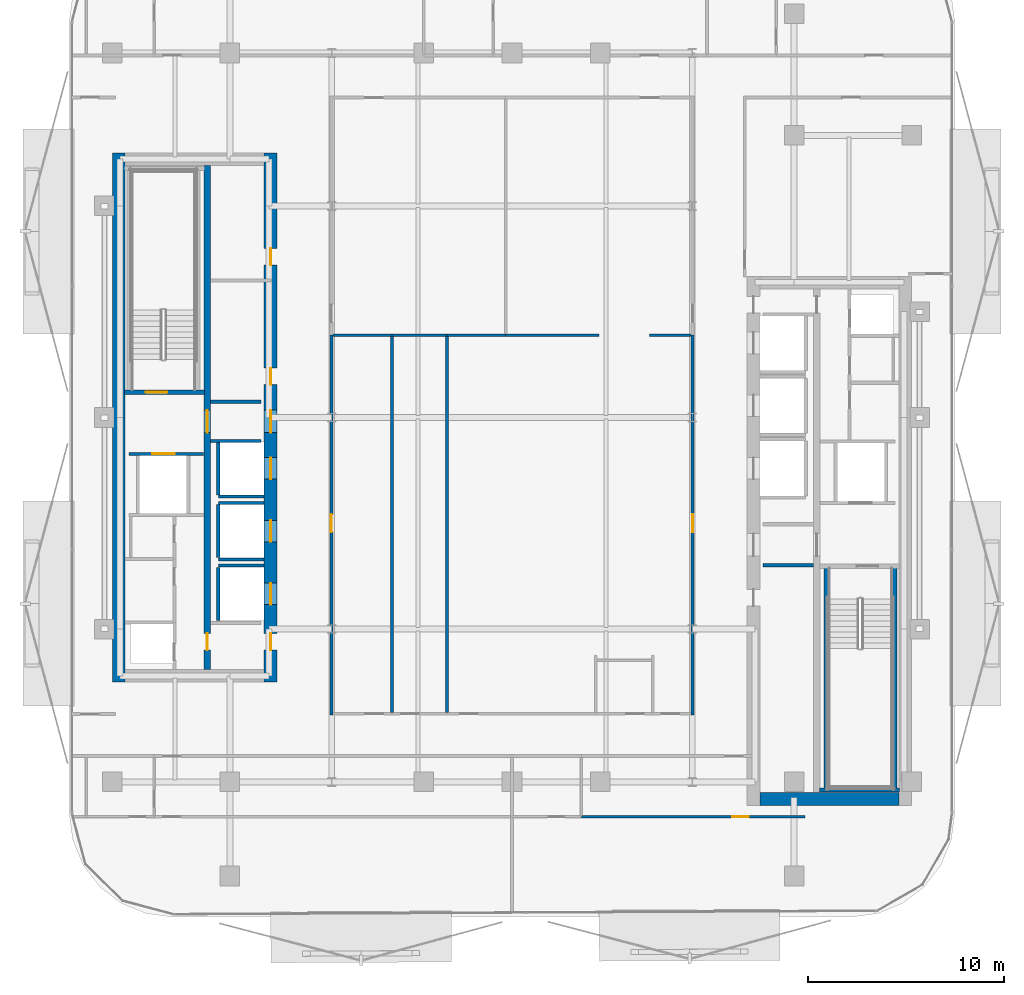
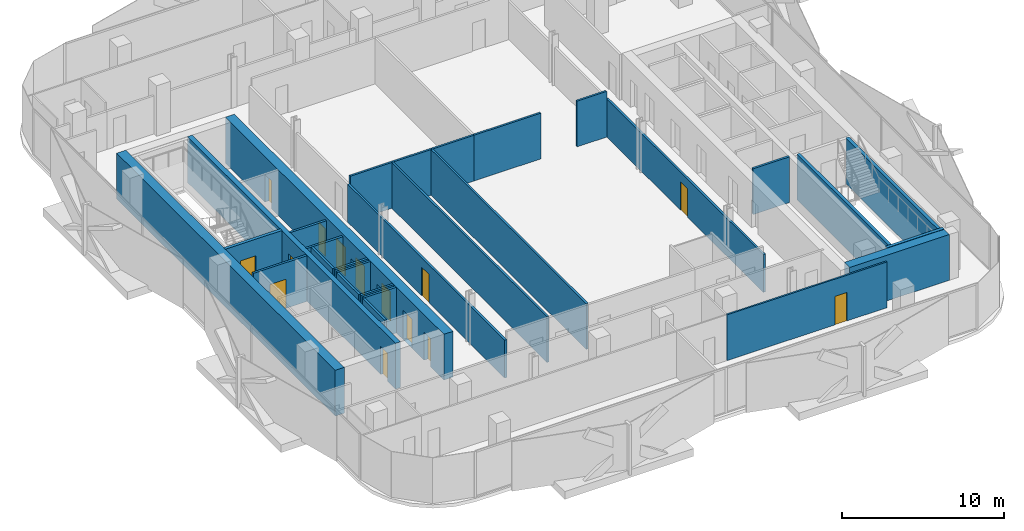
# One storey, part 4 of 17: 29 walls, 14 doors, 14 openings.
"""IFC4 building model written with IfcOpenShell, lengths in metres."""

import ifcopenshell
import ifcopenshell.guid

model = None  # the IFC model being written
_history = None  # IfcOwnerHistory: only IFC2X3 demands one
_inside = {}  # id of a spatial element -> (the spatial element, [elements in it])
_under = {}  # id of a project, library or spatial element -> (it, [spatial elements below it])
_declared = {}  # id of a project -> (the project, [libraries it declares])
_typed = {}  # id of a type object -> (the type object, [elements of that type])
_made_of = {}  # id of a material, layer set ... -> (it, [elements and type objects made of it])


def new_model(schema):
    """Start an empty IFC model of exactly this schema.

    Asked for "IFC4X3", IfcOpenShell would pick the latest addendum, in which some entities
    have other attributes; the version numbers below select the first issue.
    IFC2X3 requires an IfcOwnerHistory on every rooted entity: one is made here for all.
    """
    global model, _history
    if schema == "IFC4X3":
        model = ifcopenshell.file(schema_version=(4, 3, 0, 0))
    else:
        model = ifcopenshell.file(schema=schema)
    _inside.clear()
    _under.clear()
    _declared.clear()
    _typed.clear()
    _made_of.clear()
    _history = None
    if model.schema == "IFC2X3":
        org = make("IfcOrganization", Name="unknown")
        user = make(
            "IfcPersonAndOrganization",
            ThePerson=make("IfcPerson", FamilyName="unknown"),
            TheOrganization=org,
        )
        app = make(
            "IfcApplication",
            ApplicationDeveloper=org,
            Version="unknown",
            ApplicationFullName="unknown",
            ApplicationIdentifier="unknown",
        )
        _history = make(
            "IfcOwnerHistory",
            OwningUser=user,
            OwningApplication=app,
            ChangeAction="ADDED",
            CreationDate=0,
        )
    return model


def make(cls, **values):
    """One entity of the class cls with the attributes given. An attribute that is None is left unset."""
    return model.create_entity(
        cls, **{name: value for name, value in values.items() if value is not None}
    )


def rooted(cls, **values):
    """An entity with a GlobalId (a new one), such as an element, a storey or a relation."""
    return make(cls, GlobalId=ifcopenshell.guid.new(), OwnerHistory=_history, **values)


def si_unit(unit_type, name, prefix=None):
    """IfcSIUnit, for example si_unit("LENGTHUNIT", "METRE", prefix="MILLI")."""
    return make("IfcSIUnit", UnitType=unit_type, Prefix=prefix, Name=name)


def assignment(units):
    """IfcUnitAssignment: the units of a project."""
    return None if units is None else make("IfcUnitAssignment", Units=units)


def point(xyz):
    """IfcCartesianPoint."""
    return None if xyz is None else make("IfcCartesianPoint", Coordinates=xyz)


def direction(xyz):
    """IfcDirection."""
    return None if xyz is None else make("IfcDirection", DirectionRatios=xyz)


def frame(location, z_axis=None, x_axis=None):
    """IfcAxis2Placement3D, a coordinate frame: its origin and axes. An axis left out is left unset."""
    return make(
        "IfcAxis2Placement3D",
        Location=point(location),
        Axis=direction(z_axis),
        RefDirection=direction(x_axis),
    )


def frame_2d(location, x_axis=None):
    """IfcAxis2Placement2D, a coordinate frame in the plane: its origin and x axis."""
    return make(
        "IfcAxis2Placement2D", Location=point(location), RefDirection=direction(x_axis)
    )


def origin():
    """The frame at (0, 0, 0) with its axes left unset."""
    return frame((0.0, 0.0, 0.0))


def place(relative_to, where):
    """IfcLocalPlacement: puts the frame where relative to a parent placement (None: the world)."""
    return make(
        "IfcLocalPlacement", PlacementRelTo=relative_to, RelativePlacement=where
    )


def context(
    kind, dimensions, precision=None, world=None, true_north=None, identifier=None
):
    """IfcGeometricRepresentationContext, for example the 3D "Model" context."""
    return make(
        "IfcGeometricRepresentationContext",
        ContextIdentifier=identifier,
        ContextType=kind,
        CoordinateSpaceDimension=dimensions,
        Precision=precision,
        WorldCoordinateSystem=world,
        TrueNorth=true_north,
    )


def subcontext(parent, identifier, kind, view, scale=None):
    """IfcGeometricRepresentationSubContext, for example "Body" below "Model"."""
    return make(
        "IfcGeometricRepresentationSubContext",
        ContextIdentifier=identifier,
        ContextType=kind,
        ParentContext=parent,
        TargetScale=scale,
        TargetView=view,
    )


def project(units=None, contexts=None):
    """IfcProject with its units and contexts."""
    return rooted(
        "IfcProject",
        Name="project",
        RepresentationContexts=contexts,
        UnitsInContext=assignment(units),
    )


def spatial(cls, under=None, at=None, **own):
    """A site, building, storey or space (cls), placed at a placement, below another one or the project."""
    s = rooted(cls, ObjectPlacement=at, **own)
    if under is not None:
        _under.setdefault(under.id(), (under, []))[1].append(s)
    return s


def profile(cls, at=None, kind="AREA", **sizes):
    """A parametric profile (cls). Its sizes go by their IFC names, for example OverallWidth=200.0."""
    return make(cls, ProfileType=kind, Position=at, **sizes)


def rectangle(**sizes):
    """IfcRectangleProfileDef."""
    return profile("IfcRectangleProfileDef", **sizes)


def extrude(swept, where, along, depth):
    """IfcExtrudedAreaSolid: the profile swept, set in the frame where, extruded along a direction by depth."""
    return make(
        "IfcExtrudedAreaSolid",
        SweptArea=swept,
        Position=where,
        ExtrudedDirection=direction(along),
        Depth=depth,
    )


def shape(context_of_items, identifier, shape_type, items):
    """IfcShapeRepresentation: the items that make up one representation, for example the "Body"."""
    return make(
        "IfcShapeRepresentation",
        ContextOfItems=context_of_items,
        RepresentationIdentifier=identifier,
        RepresentationType=shape_type,
        Items=items,
    )


def material(Name=None, Category=None):
    """IfcMaterial."""
    return make("IfcMaterial", Name=Name, Category=Category)


def layer(
    of_material, thickness, ventilated=None, Name=None, Category=None, Priority=None
):
    """IfcMaterialLayer: one layer of a wall or slab, of a material (None: an air gap)."""
    return make(
        "IfcMaterialLayer",
        Material=of_material,
        LayerThickness=thickness,
        IsVentilated=ventilated,
        Name=Name,
        Category=Category,
        Priority=Priority,
    )


def layer_set(layers, Name=None):
    """IfcMaterialLayerSet."""
    return make("IfcMaterialLayerSet", MaterialLayers=layers, LayerSetName=Name)


def made_of(thing, what):
    """Note that an element or type object is made of a material, layer set ...; save() writes the relation."""
    if what is not None:
        _made_of.setdefault(what.id(), (what, []))[1].append(thing)
    return thing


def type_object(cls, material=None, **own):
    """A type object (cls), such as IfcWallType, which elements share."""
    return made_of(rooted(cls, **own), material)


def element(
    cls,
    number,
    at=None,
    inside=None,
    cuts=None,
    type_object=None,
    material=None,
    context=None,
    identifier="Body",
    shape_type=None,
    held_by="IfcProductDefinitionShape",
    body=None,
    shapes=None,
    **own,
):
    """One element of the class cls, such as IfcWall. Its Tag is "e" and its number.

    at: its placement. inside: the storey or other place that contains it. cuts: it is an
    opening in that element (IfcRelVoidsElement). A single representation is given by context,
    identifier, shape_type and body (its items); several are given by shapes. held_by: the class
    of the entity that holds the representations. save() writes the other relations.
    """
    e = rooted(cls, Tag="e%d" % number, ObjectPlacement=at, **own)
    if body is not None:
        shapes = [shape(context, identifier, shape_type, body)]
    if shapes is not None:
        e.Representation = make(held_by, Representations=shapes)
    if inside is not None:
        _inside.setdefault(inside.id(), (inside, []))[1].append(e)
    if cuts is not None:
        rooted(
            "IfcRelVoidsElement", RelatingBuildingElement=cuts, RelatedOpeningElement=e
        )
    if type_object is not None:
        _typed.setdefault(type_object.id(), (type_object, []))[1].append(e)
    return made_of(e, material)


def fill(opening, filler):
    """IfcRelFillsElement: the door or window that sits in an opening."""
    return rooted(
        "IfcRelFillsElement",
        RelatingOpeningElement=opening,
        RelatedBuildingElement=filler,
    )


def aggregate(whole, parts):
    """IfcRelAggregates: a whole, such as a stair, and the parts it consists of."""
    return rooted("IfcRelAggregates", RelatingObject=whole, RelatedObjects=parts)


def save(model, path):
    """Write the relations noted so far, then the file.

    IfcRelAggregates (storeys below a building ...), IfcRelContainedInSpatialStructure (elements
    in a storey), IfcRelDefinesByType, IfcRelAssociatesMaterial and IfcRelDeclares: one each for
    every whole, place, type object, material and project.
    """
    for whole, parts in _under.values():
        aggregate(whole, parts)
    for where, things in _inside.values():
        rooted(
            "IfcRelContainedInSpatialStructure",
            RelatedElements=things,
            RelatingStructure=where,
        )
    for kind, things in _typed.values():
        rooted("IfcRelDefinesByType", RelatedObjects=things, RelatingType=kind)
    for what, things in _made_of.values():
        rooted("IfcRelAssociatesMaterial", RelatedObjects=things, RelatingMaterial=what)
    for by, libraries in _declared.values():
        rooted("IfcRelDeclares", RelatingContext=by, RelatedDefinitions=libraries)
    model.write(path)


model = new_model("IFC4")

# Units and contexts
model_context = context("Model", 3, precision=1e-05, world=origin(), true_north=direction((0.0, 1.0)))
body_context = subcontext(model_context, "Body", "Model", "MODEL_VIEW")
ifc_project = project(units=[si_unit("LENGTHUNIT", "METRE"), si_unit("AREAUNIT", "SQUARE_METRE"), si_unit("VOLUMEUNIT", "CUBIC_METRE"), si_unit("PLANEANGLEUNIT", "RADIAN"), si_unit("MASSUNIT", "GRAM", prefix="KILO")], contexts=[model_context])

# Site, building, storey
site_placement = place(None, origin())
site = spatial("IfcSite", under=ifc_project, at=site_placement, CompositionType="ELEMENT")
building_placement = place(site_placement, origin())
building = spatial("IfcBuilding", under=site, at=building_placement, Name="Khairoan Windgate Tower", CompositionType="ELEMENT")
storey_placement = place(building_placement, frame((0.0, 0.0, 210.60009765625)))
storey = spatial("IfcBuildingStorey", under=building, at=storey_placement, Name="L49", CompositionType="ELEMENT", Elevation=210.60009765625)

# Walls
ifc_material_1 = material(Name="Concrete C40/50", Category="concrete")
ifc_layer_1 = layer(ifc_material_1, 0.159912109375, Name="Concrete C40/50")
ifc_layer_set_1 = layer_set([ifc_layer_1], Name="Concrete C40/50")
wall_type_1 = type_object("IfcWallType", Name="Core and Hoistway Enclosure Wall", PredefinedType="STANDARD", material=ifc_layer_set_1)
wall_1_placement = place(storey_placement, frame((-14.989990234375, -4.0400390625, 0.0), z_axis=(0.0, 0.0, 1.0), x_axis=(1.0, 0.0, 0.0)))
element("IfcWall", 1, at=wall_1_placement, inside=storey, type_object=wall_type_1, Name="L49 Lift PL4 Hoistway Divider S", PredefinedType="STANDARD", context=body_context, shape_type="SweptSolid", body=[
    extrude(rectangle(XDim=2.340087890625, YDim=0.159912109375, at=frame_2d((1.169921875, 0.0))), origin(), (0.0, 0.0, 1.0), 3.449951171875),
])
wall_2_placement = place(storey_placement, frame((-14.989990234375, -3.949951171875, 0.0), z_axis=(0.0, 0.0, 1.0), x_axis=(0.0, 1.0, 0.0)))
element("IfcWall", 2, at=wall_2_placement, inside=storey, type_object=wall_type_1, Name="L49 Lift PL4 Hoistway Back Wall", PredefinedType="STANDARD", context=body_context, shape_type="SweptSolid", body=[
    extrude(rectangle(XDim=2.699951171875, YDim=0.159912109375, at=frame_2d((1.35009765625, 0.0))), origin(), (0.0, 0.0, 1.0), 3.449951171875),
])
for number, where, z_axis, x_axis, name in (
    (3, (-14.989990234375, -7.239990234375, 0.0), (0.0, 0.0, 1.0), (1.0, 0.0, 0.0), "L49 Lift PL5 Hoistway Divider S"),
    (4, (-14.989990234375, -4.360107421875, 0.0), (0.0, 0.0, 1.0), (1.0, 0.0, 0.0), "L49 Lift PL5 Hoistway Divider N"),
):
    element("IfcWall", number, at=place(storey_placement, frame(where, z_axis=z_axis, x_axis=x_axis)), inside=storey, type_object=wall_type_1, Name=name, PredefinedType="STANDARD", context=body_context, shape_type="SweptSolid", body=[
        extrude(rectangle(XDim=2.340087890625, YDim=0.159912109375, at=frame_2d((1.169921875, 0.0))), origin(), (0.0, 0.0, 1.0), 3.449951171875),
    ])
wall_3_placement = place(storey_placement, frame((-14.989990234375, -7.14990234375, 0.0), z_axis=(0.0, 0.0, 1.0), x_axis=(0.0, 1.0, 0.0)))
element("IfcWall", 5, at=wall_3_placement, inside=storey, type_object=wall_type_1, Name="L49 Lift PL5 Hoistway Back Wall", PredefinedType="STANDARD", context=body_context, shape_type="SweptSolid", body=[
    extrude(rectangle(XDim=2.699951171875, YDim=0.159912109375, at=frame_2d((1.35009765625, 0.0))), origin(), (0.0, 0.0, 1.0), 3.449951171875),
])
wall_4_placement = place(storey_placement, frame((-14.989990234375, -7.56005859375, 0.0), z_axis=(0.0, 0.0, 1.0), x_axis=(1.0, 0.0, 0.0)))
element("IfcWall", 6, at=wall_4_placement, inside=storey, type_object=wall_type_1, Name="L49 Lift PL6 Hoistway Divider N", PredefinedType="STANDARD", context=body_context, shape_type="SweptSolid", body=[
    extrude(rectangle(XDim=2.340087890625, YDim=0.159912109375, at=frame_2d((1.169921875, 0.0))), origin(), (0.0, 0.0, 1.0), 3.449951171875),
])
wall_5_placement = place(storey_placement, frame((-14.989990234375, -10.35009765625, 0.0), z_axis=(0.0, 0.0, 1.0), x_axis=(0.0, 1.0, 0.0)))
element("IfcWall", 7, at=wall_5_placement, inside=storey, type_object=wall_type_1, Name="L49 Lift PL6 Hoistway Back Wall", PredefinedType="STANDARD", context=body_context, shape_type="SweptSolid", body=[
    extrude(rectangle(XDim=2.7001953125, YDim=0.159912109375, at=frame_2d((1.35009765625, 0.0))), origin(), (0.0, 0.0, 1.0), 3.449951171875),
])

# Wall, opening, door
wall_6_placement = place(storey_placement, frame((-19.550048828125, -1.860107421875, 0.0), z_axis=(0.0, 0.0, 1.0), x_axis=(1.0, 0.0, 0.0)))
wall_6 = element("IfcWall", 8, at=wall_6_placement, inside=storey, type_object=wall_type_1, Name="L49 Core Shaft Wall SW-FL2-L49", PredefinedType="STANDARD", context=body_context, shape_type="SweptSolid", body=[
    extrude(rectangle(XDim=3.800048828125, YDim=0.159912109375, at=frame_2d((1.89990234375, 0.0))), origin(), (0.0, 0.0, 1.0), 3.449951171875),
])
opening_1_placement = place(wall_6_placement, frame((1.179931640625, 0.0, 0.0)))
opening_1 = element("IfcOpeningElement", 9, at=opening_1_placement, cuts=wall_6, Name="Opening LD-FL", PredefinedType="OPENING", context=body_context, shape_type="SweptSolid", body=[
    extrude(rectangle(XDim=1.14990234375, YDim=2.199951171875, at=frame_2d((0.574951171875, 1.10009765625))), frame((0.0, 0.08984375, 0.0), z_axis=(0.0, -1.0, 0.0), x_axis=(1.0, 0.0, 0.0)), (0.0, 0.0, 1.0), 0.179931640625),
])
ifc_material_2 = material(Name="Steel S355", Category="steel")
door_type_1 = type_object("IfcDoorType", Name="Firefighting Lift Sliding Landing Door LD-FL 1150x2200", OperationType="DOUBLE_DOOR_SLIDING", PredefinedType="DOOR", material=ifc_material_2)
door_1_placement = place(opening_1_placement, origin())
door_1 = element("IfcDoor", 10, at=door_1_placement, inside=storey, type_object=door_type_1, Name="L49 Firefighting Lift FL2 Landing Door", OperationType="DOUBLE_DOOR_SLIDING", OverallHeight=2.199951171875, OverallWidth=1.14990234375, PredefinedType="DOOR", context=body_context, shape_type="SweptSolid", body=[
    extrude(rectangle(XDim=1.14990234375, YDim=2.199951171875, at=frame_2d((0.574951171875, 1.10009765625))), frame((0.0, 0.02490234375, 0.0), z_axis=(0.0, -1.0, 0.0), x_axis=(1.0, 0.0, 0.0)), (0.0, 0.0, 1.0), 0.050048828125),
])
fill(opening_1, door_1)

# Walls
for number, where, z_axis, x_axis, name in (
    (11, (-15.39990234375, 0.800048828125, 0.0), (0.0, 0.0, 1.0), (1.0, 0.0, 0.0), "L49 Core Shaft Wall SW-WV1-L49"),
    (12, (-15.39990234375, -1.199951171875, 0.0), (0.0, 0.0, 1.0), (1.0, 0.0, 0.0), "L49 Core Shaft Wall SW-WV2-L49"),
    (13, (12.800048828125, -7.5400390625, 0.0), (0.0, 0.0, 1.0), (1.0, 0.0, 0.0), "L49 Core Shaft Wall SW-EV2-L49"),
):
    element("IfcWall", number, at=place(storey_placement, frame(where, z_axis=z_axis, x_axis=x_axis)), inside=storey, type_object=wall_type_1, Name=name, PredefinedType="STANDARD", context=body_context, shape_type="SweptSolid", body=[
        extrude(rectangle(XDim=2.599853515625, YDim=0.159912109375, at=frame_2d((1.2998046875, 0.0))), origin(), (0.0, 0.0, 1.0), 3.449951171875),
    ])
ifc_material_3 = material(Name="Acoustic Fire-Rated Gypsum Partition", Category="gypsum")
ifc_layer_2 = layer(ifc_material_3, 0.139892578125, Name="Acoustic Fire-Rated Gypsum Partition")
ifc_layer_set_2 = layer_set([ifc_layer_2], Name="Acoustic Fire-Rated Gypsum Partition")
wall_type_2 = type_object("IfcWallType", Name="Inter-Tenancy Compartment Wall", PredefinedType="PARTITIONING", material=ifc_layer_set_2)
wall_7_placement = place(storey_placement, frame((-6.1201171875, -15.044921875, 0.0), z_axis=(0.0, 0.0, 1.0), x_axis=(0.0, 1.0, 0.0)))
element("IfcWall", 14, at=wall_7_placement, inside=storey, type_object=wall_type_2, Name="L49 Interior Partition 037", PredefinedType="PARTITIONING", context=body_context, shape_type="SweptSolid", body=[
    extrude(rectangle(XDim=19.1748046875, YDim=0.139892578125, at=frame_2d((9.58740234375, 0.0))), origin(), (0.0, 0.0, 1.0), 3.449951171875),
])
wall_8_placement = place(storey_placement, frame((-9.14501953125, 4.199951171875, 0.0), z_axis=(0.0, 0.0, 1.0), x_axis=(1.0, 0.0, 0.0)))
element("IfcWall", 15, at=wall_8_placement, inside=storey, type_object=wall_type_2, Name="L49 Interior Partition 038", PredefinedType="PARTITIONING", context=body_context, shape_type="SweptSolid", body=[
    extrude(rectangle(XDim=3.02490234375, YDim=0.139892578125, at=frame_2d((1.512451171875, 0.0))), origin(), (0.0, 0.0, 1.0), 3.449951171875),
])
wall_9_placement = place(storey_placement, frame((-3.320068359375, -15.044921875, 0.0), z_axis=(0.0, 0.0, 1.0), x_axis=(0.0, 1.0, 0.0)))
element("IfcWall", 16, at=wall_9_placement, inside=storey, type_object=wall_type_2, Name="L49 Interior Partition 039", PredefinedType="PARTITIONING", context=body_context, shape_type="SweptSolid", body=[
    extrude(rectangle(XDim=19.1748046875, YDim=0.139892578125, at=frame_2d((9.58740234375, 0.0))), origin(), (0.0, 0.0, 1.0), 3.449951171875),
])
wall_10_placement = place(storey_placement, frame((-6.1201171875, 4.199951171875, 0.0), z_axis=(0.0, 0.0, 1.0), x_axis=(1.0, 0.0, 0.0)))
element("IfcWall", 17, at=wall_10_placement, inside=storey, type_object=wall_type_2, Name="L49 Interior Partition 040", PredefinedType="PARTITIONING", context=body_context, shape_type="SweptSolid", body=[
    extrude(rectangle(XDim=2.800048828125, YDim=0.139892578125, at=frame_2d((1.39990234375, 0.0))), origin(), (0.0, 0.0, 1.0), 3.449951171875),
])
wall_11_placement = place(storey_placement, frame((-3.320068359375, 4.199951171875, 0.0), z_axis=(0.0, 0.0, 1.0), x_axis=(1.0, 0.0, 0.0)))
element("IfcWall", 18, at=wall_11_placement, inside=storey, type_object=wall_type_2, Name="L49 Interior Partition 042", PredefinedType="PARTITIONING", context=body_context, shape_type="SweptSolid", body=[
    extrude(rectangle(XDim=3.0, YDim=0.139892578125, at=frame_2d((1.5, 0.0))), origin(), (0.0, 0.0, 1.0), 3.449951171875),
])
wall_12_placement = place(storey_placement, frame((-0.320068359375, 4.199951171875, 0.0), z_axis=(0.0, 0.0, 1.0), x_axis=(1.0, 0.0, 0.0)))
element("IfcWall", 19, at=wall_12_placement, inside=storey, type_object=wall_type_2, Name="L49 Interior Partition 043", PredefinedType="PARTITIONING", context=body_context, shape_type="SweptSolid", body=[
    extrude(rectangle(XDim=4.760009765625, YDim=0.139892578125, at=frame_2d((2.3798828125, 0.0))), origin(), (0.0, 0.0, 1.0), 3.449951171875),
])
wall_13_placement = place(storey_placement, frame((7.02001953125, 4.199951171875, 0.0), z_axis=(0.0, 0.0, 1.0), x_axis=(1.0, 0.0, 0.0)))
element("IfcWall", 20, at=wall_13_placement, inside=storey, type_object=wall_type_2, Name="L49 Interior Partition 045", PredefinedType="PARTITIONING", context=body_context, shape_type="SweptSolid", body=[
    extrude(rectangle(XDim=2.125, YDim=0.139892578125, at=frame_2d((1.0625, 0.0))), origin(), (0.0, 0.0, 1.0), 3.449951171875),
])

# Wall, opening, door
ifc_material_4 = material(Name="Gypsum Stud Partition", Category="gypsum")
ifc_layer_3 = layer(ifc_material_4, 0.1201171875, Name="Gypsum Stud Partition")
ifc_layer_set_3 = layer_set([ifc_layer_3], Name="Gypsum Stud Partition")
wall_type_3 = type_object("IfcWallType", Name="Internal Room Partition Wall", PredefinedType="PARTITIONING", material=ifc_layer_set_3)
wall_14_placement = place(storey_placement, frame((3.5400390625, -20.3701171875, 0.0), z_axis=(0.0, 0.0, 1.0), x_axis=(1.0, 0.0, 0.0)))
wall_14 = element("IfcWall", 21, at=wall_14_placement, inside=storey, type_object=wall_type_3, Name="L49 Interior Partition 067", PredefinedType="PARTITIONING", context=body_context, shape_type="SweptSolid", body=[
    extrude(rectangle(XDim=11.419921875, YDim=0.1201171875, at=frame_2d((5.7099609375, 0.0))), origin(), (0.0, 0.0, 1.0), 3.449951171875),
])
opening_2_placement = place(wall_14_placement, frame((7.68994140625, 0.0, 0.0)))
opening_2 = element("IfcOpeningElement", 22, at=opening_2_placement, cuts=wall_14, Name="Opening ID-RM", PredefinedType="OPENING", context=body_context, shape_type="SweptSolid", body=[
    extrude(rectangle(XDim=0.860107421875, YDim=2.14990234375, at=frame_2d((0.43017578125, 1.074951171875))), frame((0.0, 0.070068359375, 0.0), z_axis=(0.0, -1.0, 0.0), x_axis=(1.0, 0.0, 0.0)), (0.0, 0.0, 1.0), 0.14013671875),
])
ifc_material_5 = material(Name="Teak Veneer Timber Leaf", Category="wood")
door_type_2 = type_object("IfcDoorType", Name="Internal Bedroom and Office Door ID-RM 860x2150", OperationType="NOTDEFINED", PredefinedType="DOOR", material=ifc_material_5)
door_2_placement = place(opening_2_placement, origin())
door_2 = element("IfcDoor", 23, at=door_2_placement, inside=storey, type_object=door_type_2, Name="L49 L49-52-L49-53 Door", OperationType="SINGLE_SWING_RIGHT", OverallHeight=2.14990234375, OverallWidth=0.860107421875, PredefinedType="DOOR", context=body_context, shape_type="SweptSolid", body=[
    extrude(rectangle(XDim=0.860107421875, YDim=2.14990234375, at=frame_2d((0.43017578125, 1.074951171875))), frame((0.0, 0.02490234375, 0.0), z_axis=(0.0, -1.0, 0.0), x_axis=(1.0, 0.0, 0.0)), (0.0, 0.0, 1.0), 0.050048828125),
])
fill(opening_2, door_2)

ifc_material_6 = material(Name="Acoustic Fire-Rated Gypsum Partition", Category="gypsum")
ifc_layer_4 = layer(ifc_material_6, 0.14990234375, Name="Acoustic Fire-Rated Gypsum Partition")
ifc_layer_set_4 = layer_set([ifc_layer_4], Name="Acoustic Fire-Rated Gypsum Partition")
wall_type_4 = type_object("IfcWallType", Name="Rated Corridor Partition Wall", PredefinedType="PARTITIONING", material=ifc_layer_set_4)
wall_15_placement = place(storey_placement, frame((-9.219970703125, -15.195068359375, 0.0), z_axis=(0.0, 0.0, 1.0), x_axis=(0.0, 1.0, 0.0)))
wall_15 = element("IfcWall", 24, at=wall_15_placement, inside=storey, type_object=wall_type_4, Name="L49 Interior Partition 012", PredefinedType="PARTITIONING", context=body_context, shape_type="SweptSolid", body=[
    extrude(rectangle(XDim=19.39501953125, YDim=0.14990234375, at=frame_2d((9.697509765625, 0.0))), origin(), (0.0, 0.0, 1.0), 2.86181640625),
])
opening_3_placement = place(wall_15_placement, frame((9.348388671875, 0.0, 0.0)))
opening_3 = element("IfcOpeningElement", 25, at=opening_3_placement, cuts=wall_15, Name="Opening FD-ENT", PredefinedType="OPENING", context=body_context, shape_type="SweptSolid", body=[
    extrude(rectangle(XDim=0.89990234375, YDim=2.14990234375, at=frame_2d((0.449951171875, 1.074951171875))), frame((0.0, 0.0849609375, 0.0), z_axis=(0.0, -1.0, 0.0), x_axis=(1.0, 0.0, 0.0)), (0.0, 0.0, 1.0), 0.169921875),
])
ifc_material_7 = material(Name="Timber Fire-Rated Core", Category="wood")
door_type_3 = type_object("IfcDoorType", Name="Unit and Office Fire Entrance Door FD-ENT 900x2150", OperationType="NOTDEFINED", PredefinedType="DOOR", material=ifc_material_7)
door_3_placement = place(opening_3_placement, origin())
door_3 = element("IfcDoor", 26, at=door_3_placement, inside=storey, type_object=door_type_3, Name="L49 L49-28-L49-32 Door", OperationType="SINGLE_SWING_RIGHT", OverallHeight=2.14990234375, OverallWidth=0.89990234375, PredefinedType="DOOR", context=body_context, shape_type="SweptSolid", body=[
    extrude(rectangle(XDim=0.89990234375, YDim=2.14990234375, at=frame_2d((0.449951171875, 1.074951171875))), frame((0.0, 0.02490234375, 0.0), z_axis=(0.0, -1.0, 0.0), x_axis=(1.0, 0.0, 0.0)), (0.0, 0.0, 1.0), 0.050048828125),
])
fill(opening_3, door_3)

wall_16_placement = place(storey_placement, frame((9.219970703125, -15.195068359375, 0.0), z_axis=(0.0, 0.0, 1.0), x_axis=(0.0, 1.0, 0.0)))
wall_16 = element("IfcWall", 27, at=wall_16_placement, inside=storey, type_object=wall_type_4, Name="L49 Interior Partition 014", PredefinedType="PARTITIONING", context=body_context, shape_type="SweptSolid", body=[
    extrude(rectangle(XDim=19.39501953125, YDim=0.14990234375, at=frame_2d((9.697509765625, 0.0))), origin(), (0.0, 0.0, 1.0), 2.86181640625),
])
opening_4_placement = place(wall_16_placement, frame((9.348388671875, 0.0, 0.0)))
opening_4 = element("IfcOpeningElement", 28, at=opening_4_placement, cuts=wall_16, Name="Opening FD-ENT", PredefinedType="OPENING", context=body_context, shape_type="SweptSolid", body=[
    extrude(rectangle(XDim=0.89990234375, YDim=2.14990234375, at=frame_2d((0.449951171875, 1.074951171875))), frame((0.0, 0.0849609375, 0.0), z_axis=(0.0, -1.0, 0.0), x_axis=(1.0, 0.0, 0.0)), (0.0, 0.0, 1.0), 0.169921875),
])
door_4_placement = place(opening_4_placement, origin())
door_4 = element("IfcDoor", 29, at=door_4_placement, inside=storey, type_object=door_type_3, Name="L49 L49-29-L49-36 Door", OperationType="SINGLE_SWING_RIGHT", OverallHeight=2.14990234375, OverallWidth=0.89990234375, PredefinedType="DOOR", context=body_context, shape_type="SweptSolid", body=[
    extrude(rectangle(XDim=0.89990234375, YDim=2.14990234375, at=frame_2d((0.449951171875, 1.074951171875))), frame((0.0, 0.02490234375, 0.0), z_axis=(0.0, -1.0, 0.0), x_axis=(1.0, 0.0, 0.0)), (0.0, 0.0, 1.0), 0.050048828125),
])
fill(opening_4, door_4)

# Walls
ifc_material_8 = material(Name="Concrete C60/75", Category="concrete")
ifc_layer_5 = layer(ifc_material_8, 0.64990234375, Name="Concrete C60/75")
ifc_layer_set_5 = layer_set([ifc_layer_5], Name="Concrete C60/75")
wall_type_5 = type_object("IfcWallType", Name="Shear Wall CW-E2 650mm", PredefinedType="SHEAR", material=ifc_layer_set_5)
wall_17_placement = place(storey_placement, frame((12.64990234375, -19.47509765625, 0.0), z_axis=(0.0, 0.0, 1.0), x_axis=(1.0, 0.0, 0.0)))
element("IfcWall", 30, at=wall_17_placement, inside=storey, type_object=wall_type_5, Name="E Core South Shear Wall L49", PredefinedType="SHEAR", context=body_context, shape_type="SweptSolid", body=[
    extrude(rectangle(XDim=7.10009765625, YDim=0.64990234375, at=frame_2d((3.550048828125, 0.0))), origin(), (0.0, 0.0, 1.0), 3.449951171875),
])
ifc_material_9 = material(Name="Concrete C60/75", Category="concrete")
ifc_layer_6 = layer(ifc_material_9, 0.64990234375, Name="Concrete C60/75")
ifc_layer_set_6 = layer_set([ifc_layer_6], Name="Concrete C60/75")
wall_type_6 = type_object("IfcWallType", Name="Shear Wall CW-W2 650mm", PredefinedType="SHEAR", material=ifc_layer_set_6)
wall_18_placement = place(storey_placement, frame((-20.074951171875, -13.5, 0.0), z_axis=(0.0, 0.0, 1.0), x_axis=(0.0, 1.0, 0.0)))
element("IfcWall", 31, at=wall_18_placement, inside=storey, type_object=wall_type_6, Name="W Core West Shear Wall L49", PredefinedType="SHEAR", context=body_context, shape_type="SweptSolid", body=[
    extrude(rectangle(XDim=27.0, YDim=0.64990234375, at=frame_2d((13.5, 0.0))), origin(), (0.0, 0.0, 1.0), 3.449951171875),
])

# Wall, openings, doors
wall_19_placement = place(storey_placement, frame((-12.324951171875, -13.5, 0.0), z_axis=(0.0, 0.0, 1.0), x_axis=(0.0, 1.0, 0.0)))
wall_19 = element("IfcWall", 32, at=wall_19_placement, inside=storey, type_object=wall_type_6, Name="W Core East Shear Wall L49", PredefinedType="SHEAR", context=body_context, shape_type="SweptSolid", body=[
    extrude(rectangle(XDim=27.0, YDim=0.64990234375, at=frame_2d((13.5, 0.0))), origin(), (0.0, 0.0, 1.0), 3.449951171875),
])
opening_5_placement = place(wall_19_placement, frame((10.35009765625, 0.0, 0.0)))
opening_5 = element("IfcOpeningElement", 33, at=opening_5_placement, cuts=wall_19, Name="Opening LD-PL", PredefinedType="OPENING", context=body_context, shape_type="SweptSolid", body=[
    extrude(rectangle(XDim=1.10009765625, YDim=2.199951171875, at=frame_2d((0.550048828125, 1.10009765625))), frame((0.0, 0.3349609375, 0.0), z_axis=(0.0, -1.0, 0.0), x_axis=(1.0, 0.0, 0.0)), (0.0, 0.0, 1.0), 0.669921875),
])
opening_6_placement = place(wall_19_placement, frame((7.14990234375, 0.0, 0.0)))
opening_6 = element("IfcOpeningElement", 34, at=opening_6_placement, cuts=wall_19, Name="Opening LD-PL", PredefinedType="OPENING", context=body_context, shape_type="SweptSolid", body=[
    extrude(rectangle(XDim=1.10009765625, YDim=2.199951171875, at=frame_2d((0.550048828125, 1.10009765625))), frame((0.0, 0.3349609375, 0.0), z_axis=(0.0, -1.0, 0.0), x_axis=(1.0, 0.0, 0.0)), (0.0, 0.0, 1.0), 0.669921875),
])
opening_7_placement = place(wall_19_placement, frame((3.949951171875, 0.0, 0.0)))
opening_7 = element("IfcOpeningElement", 35, at=opening_7_placement, cuts=wall_19, Name="Opening LD-PL", PredefinedType="OPENING", context=body_context, shape_type="SweptSolid", body=[
    extrude(rectangle(XDim=1.10009765625, YDim=2.199951171875, at=frame_2d((0.550048828125, 1.10009765625))), frame((0.0, 0.3349609375, 0.0), z_axis=(0.0, -1.0, 0.0), x_axis=(1.0, 0.0, 0.0)), (0.0, 0.0, 1.0), 0.669921875),
])
opening_8_placement = place(wall_19_placement, frame((15.175048828125, 0.0, 0.0)))
opening_8 = element("IfcOpeningElement", 36, at=opening_8_placement, cuts=wall_19, Name="Opening FD-SRV", PredefinedType="OPENING", context=body_context, shape_type="SweptSolid", body=[
    extrude(rectangle(XDim=0.85009765625, YDim=2.10009765625, at=frame_2d((0.425048828125, 1.050048828125))), frame((0.0, 0.3349609375, 0.0), z_axis=(0.0, -1.0, 0.0), x_axis=(1.0, 0.0, 0.0)), (0.0, 0.0, 1.0), 0.669921875),
])
opening_9_placement = place(wall_19_placement, frame((21.27490234375, 0.0, 0.0)))
opening_9 = element("IfcOpeningElement", 37, at=opening_9_placement, cuts=wall_19, Name="Opening FD-SRV", PredefinedType="OPENING", context=body_context, shape_type="SweptSolid", body=[
    extrude(rectangle(XDim=0.85009765625, YDim=2.10009765625, at=frame_2d((0.425048828125, 1.050048828125))), frame((0.0, 0.3349609375, 0.0), z_axis=(0.0, -1.0, 0.0), x_axis=(1.0, 0.0, 0.0)), (0.0, 0.0, 1.0), 0.669921875),
])
opening_10_placement = place(wall_19_placement, frame((12.72509765625, 0.0, 0.0)))
opening_10 = element("IfcOpeningElement", 38, at=opening_10_placement, cuts=wall_19, Name="Opening FD-FFL", PredefinedType="OPENING", context=body_context, shape_type="SweptSolid", body=[
    extrude(rectangle(XDim=1.14990234375, YDim=2.199951171875, at=frame_2d((0.574951171875, 1.10009765625))), frame((0.0, 0.3349609375, 0.0), z_axis=(0.0, -1.0, 0.0), x_axis=(1.0, 0.0, 0.0)), (0.0, 0.0, 1.0), 0.669921875),
])
opening_11_placement = place(wall_19_placement, frame((1.625, 0.0, 0.0)))
opening_11 = element("IfcOpeningElement", 39, at=opening_11_placement, cuts=wall_19, Name="Opening FD-SRV", PredefinedType="OPENING", context=body_context, shape_type="SweptSolid", body=[
    extrude(rectangle(XDim=0.85009765625, YDim=2.10009765625, at=frame_2d((0.425048828125, 1.050048828125))), frame((0.0, 0.3349609375, 0.0), z_axis=(0.0, -1.0, 0.0), x_axis=(1.0, 0.0, 0.0)), (0.0, 0.0, 1.0), 0.669921875),
])
ifc_material_10 = material(Name="Steel S355", Category="steel")
door_type_4 = type_object("IfcDoorType", Name="Core Service and Riser Fire Door FD-SRV 850x2100", OperationType="NOTDEFINED", PredefinedType="DOOR", material=ifc_material_10)
door_5_placement = place(opening_8_placement, origin())
door_5 = element("IfcDoor", 40, at=door_5_placement, inside=storey, type_object=door_type_4, Name="L49 Upper Core Room Door B1-1", OperationType="SINGLE_SWING_LEFT", OverallHeight=2.10009765625, OverallWidth=0.85009765625, PredefinedType="DOOR", context=body_context, shape_type="SweptSolid", body=[
    extrude(rectangle(XDim=0.85009765625, YDim=2.10009765625, at=frame_2d((0.425048828125, 1.050048828125))), frame((0.0, 0.02490234375, 0.0), z_axis=(0.0, -1.0, 0.0), x_axis=(1.0, 0.0, 0.0)), (0.0, 0.0, 1.0), 0.050048828125),
])
fill(opening_8, door_5)
door_6_placement = place(opening_9_placement, origin())
door_6 = element("IfcDoor", 41, at=door_6_placement, inside=storey, type_object=door_type_4, Name="L49 Upper Core Room Door B1-2", OperationType="SINGLE_SWING_RIGHT", OverallHeight=2.10009765625, OverallWidth=0.85009765625, PredefinedType="DOOR", context=body_context, shape_type="SweptSolid", body=[
    extrude(rectangle(XDim=0.85009765625, YDim=2.10009765625, at=frame_2d((0.425048828125, 1.050048828125))), frame((0.0, 0.02490234375, 0.0), z_axis=(0.0, -1.0, 0.0), x_axis=(1.0, 0.0, 0.0)), (0.0, 0.0, 1.0), 0.050048828125),
])
fill(opening_9, door_6)
door_7_placement = place(opening_11_placement, origin())
door_7 = element("IfcDoor", 42, at=door_7_placement, inside=storey, type_object=door_type_4, Name="L49 West Core Service Vestibule Outer Door", OperationType="SINGLE_SWING_RIGHT", OverallHeight=2.10009765625, OverallWidth=0.85009765625, PredefinedType="DOOR", context=body_context, shape_type="SweptSolid", body=[
    extrude(rectangle(XDim=0.85009765625, YDim=2.10009765625, at=frame_2d((0.425048828125, 1.050048828125))), frame((0.0, 0.02490234375, 0.0), z_axis=(0.0, -1.0, 0.0), x_axis=(1.0, 0.0, 0.0)), (0.0, 0.0, 1.0), 0.050048828125),
])
fill(opening_11, door_7)
ifc_material_11 = material(Name="Steel S355", Category="steel")
door_type_5 = type_object("IfcDoorType", Name="Firefighting Lobby Fire Door FD-FFL 1150x2200", OperationType="NOTDEFINED", PredefinedType="DOOR", material=ifc_material_11)
door_8_placement = place(opening_10_placement, origin())
door_8 = element("IfcDoor", 43, at=door_8_placement, inside=storey, type_object=door_type_5, Name="L49 West Core Vestibule Entry Door", OperationType="SINGLE_SWING_RIGHT", OverallHeight=2.199951171875, OverallWidth=1.14990234375, PredefinedType="DOOR", context=body_context, shape_type="SweptSolid", body=[
    extrude(rectangle(XDim=1.14990234375, YDim=2.199951171875, at=frame_2d((0.574951171875, 1.10009765625))), frame((0.0, 0.02490234375, 0.0), z_axis=(0.0, -1.0, 0.0), x_axis=(1.0, 0.0, 0.0)), (0.0, 0.0, 1.0), 0.050048828125),
])
fill(opening_10, door_8)
ifc_material_12 = material(Name="Anodised Bronze Aluminium 6063-T6", Category="aluminium")
door_type_6 = type_object("IfcDoorType", Name="Passenger Lift Sliding Landing Door LD-PL 1100x2200", OperationType="DOUBLE_DOOR_SLIDING", PredefinedType="DOOR", material=ifc_material_12)
door_9_placement = place(opening_5_placement, origin())
door_9 = element("IfcDoor", 44, at=door_9_placement, inside=storey, type_object=door_type_6, Name="L49 Lift PL4 Sliding Landing Door", OperationType="DOUBLE_DOOR_SLIDING", OverallHeight=2.199951171875, OverallWidth=1.10009765625, PredefinedType="DOOR", context=body_context, shape_type="SweptSolid", body=[
    extrude(rectangle(XDim=1.10009765625, YDim=2.199951171875, at=frame_2d((0.550048828125, 1.10009765625))), frame((0.0, 0.02490234375, 0.0), z_axis=(0.0, -1.0, 0.0), x_axis=(1.0, 0.0, 0.0)), (0.0, 0.0, 1.0), 0.050048828125),
])
fill(opening_5, door_9)
door_10_placement = place(opening_6_placement, origin())
door_10 = element("IfcDoor", 45, at=door_10_placement, inside=storey, type_object=door_type_6, Name="L49 Lift PL5 Sliding Landing Door", OperationType="DOUBLE_DOOR_SLIDING", OverallHeight=2.199951171875, OverallWidth=1.10009765625, PredefinedType="DOOR", context=body_context, shape_type="SweptSolid", body=[
    extrude(rectangle(XDim=1.10009765625, YDim=2.199951171875, at=frame_2d((0.550048828125, 1.10009765625))), frame((0.0, 0.02490234375, 0.0), z_axis=(0.0, -1.0, 0.0), x_axis=(1.0, 0.0, 0.0)), (0.0, 0.0, 1.0), 0.050048828125),
])
fill(opening_6, door_10)
door_11_placement = place(opening_7_placement, origin())
door_11 = element("IfcDoor", 46, at=door_11_placement, inside=storey, type_object=door_type_6, Name="L49 Lift PL6 Sliding Landing Door", OperationType="DOUBLE_DOOR_SLIDING", OverallHeight=2.199951171875, OverallWidth=1.10009765625, PredefinedType="DOOR", context=body_context, shape_type="SweptSolid", body=[
    extrude(rectangle(XDim=1.10009765625, YDim=2.199951171875, at=frame_2d((0.550048828125, 1.10009765625))), frame((0.0, 0.02490234375, 0.0), z_axis=(0.0, -1.0, 0.0), x_axis=(1.0, 0.0, 0.0)), (0.0, 0.0, 1.0), 0.050048828125),
])
fill(opening_7, door_11)

ifc_material_13 = material(Name="Concrete C60/75", Category="concrete")
ifc_layer_7 = layer(ifc_material_13, 0.35009765625, Name="Concrete C60/75")
ifc_layer_set_7 = layer_set([ifc_layer_7], Name="Concrete C60/75")
wall_type_7 = type_object("IfcWallType", Name="Shear Wall SW-1 350mm", PredefinedType="SHEAR", material=ifc_layer_set_7)
wall_20_placement = place(storey_placement, frame((-15.550048828125, -12.85009765625, 0.0), z_axis=(0.0, 0.0, 1.0), x_axis=(0.0, 1.0, 0.0)))
wall_20 = element("IfcWall", 47, at=wall_20_placement, inside=storey, type_object=wall_type_7, Name="W Core Spine Shear Wall L49", PredefinedType="SHEAR", context=body_context, shape_type="SweptSolid", body=[
    extrude(rectangle(XDim=25.7001953125, YDim=0.35009765625, at=frame_2d((12.85009765625, 0.0))), origin(), (0.0, 0.0, 1.0), 3.449951171875),
])
opening_12_placement = place(wall_20_placement, frame((12.074951171875, 0.0, 0.0)))
opening_12 = element("IfcOpeningElement", 48, at=opening_12_placement, cuts=wall_20, Name="Opening FD-FFL", PredefinedType="OPENING", context=body_context, shape_type="SweptSolid", body=[
    extrude(rectangle(XDim=1.14990234375, YDim=2.199951171875, at=frame_2d((0.574951171875, 1.10009765625))), frame((0.0, 0.18505859375, 0.0), z_axis=(0.0, -1.0, 0.0), x_axis=(1.0, 0.0, 0.0)), (0.0, 0.0, 1.0), 0.3701171875),
])
opening_13_placement = place(wall_20_placement, frame((0.97509765625, 0.0, 0.0)))
opening_13 = element("IfcOpeningElement", 49, at=opening_13_placement, cuts=wall_20, Name="Opening FD-SRV", PredefinedType="OPENING", context=body_context, shape_type="SweptSolid", body=[
    extrude(rectangle(XDim=0.85009765625, YDim=2.10009765625, at=frame_2d((0.425048828125, 1.050048828125))), frame((0.0, 0.18505859375, 0.0), z_axis=(0.0, -1.0, 0.0), x_axis=(1.0, 0.0, 0.0)), (0.0, 0.0, 1.0), 0.3701171875),
])
door_12_placement = place(opening_13_placement, origin())
door_12 = element("IfcDoor", 50, at=door_12_placement, inside=storey, type_object=door_type_4, Name="L49 West Core Service Passage Inner Door", OperationType="SINGLE_SWING_LEFT", OverallHeight=2.10009765625, OverallWidth=0.85009765625, PredefinedType="DOOR", context=body_context, shape_type="SweptSolid", body=[
    extrude(rectangle(XDim=0.85009765625, YDim=2.10009765625, at=frame_2d((0.425048828125, 1.050048828125))), frame((0.0, 0.02490234375, 0.0), z_axis=(0.0, -1.0, 0.0), x_axis=(1.0, 0.0, 0.0)), (0.0, 0.0, 1.0), 0.050048828125),
])
fill(opening_13, door_12)
door_13_placement = place(opening_12_placement, origin())
door_13 = element("IfcDoor", 51, at=door_13_placement, inside=storey, type_object=door_type_5, Name="L49 West Firefighting Lobby Fire Door", OperationType="SINGLE_SWING_LEFT", OverallHeight=2.199951171875, OverallWidth=1.14990234375, PredefinedType="DOOR", context=body_context, shape_type="SweptSolid", body=[
    extrude(rectangle(XDim=1.14990234375, YDim=2.199951171875, at=frame_2d((0.574951171875, 1.10009765625))), frame((0.0, 0.02490234375, 0.0), z_axis=(0.0, -1.0, 0.0), x_axis=(1.0, 0.0, 0.0)), (0.0, 0.0, 1.0), 0.050048828125),
])
fill(opening_12, door_13)

# Walls
ifc_material_14 = material(Name="Concrete C50/60", Category="concrete")
ifc_layer_8 = layer(ifc_material_14, 0.219970703125, Name="Concrete C50/60")
ifc_layer_set_8 = layer_set([ifc_layer_8], Name="Concrete C50/60")
wall_type_8 = type_object("IfcWallType", Name="Shear Wall SW-ST 220mm", PredefinedType="SHEAR", material=ifc_layer_set_8)
for number, where, z_axis, x_axis, name in (
    (52, (16.0400390625, -19.010009765625, 0.0), (0.0, 0.0, 1.0), (0.0, 1.0, 0.0), "L49 Stair ST1 West Bearing Wall"),
    (53, (19.530029296875, -19.010009765625, 0.0), (0.0, 0.0, 1.0), (0.0, 1.0, 0.0), "L49 Stair ST1 East Bearing Wall"),
):
    element("IfcWall", number, at=place(storey_placement, frame(where, z_axis=z_axis, x_axis=x_axis)), inside=storey, type_object=wall_type_8, Name=name, PredefinedType="SHEAR", context=body_context, shape_type="SweptSolid", body=[
        extrude(rectangle(XDim=11.419921875, YDim=0.219970703125, at=frame_2d((5.7099609375, 0.0))), origin(), (0.0, 0.0, 1.0), 3.449951171875),
    ])
wall_21_placement = place(storey_placement, frame((15.705078125, -19.010009765625, 0.0), z_axis=(0.0, 0.0, 1.0), x_axis=(1.0, 0.0, 0.0)))
element("IfcWall", 54, at=wall_21_placement, inside=storey, type_object=wall_type_8, Name="L49 Stair ST1 South Bearing Wall", PredefinedType="SHEAR", context=body_context, shape_type="SweptSolid", body=[
    extrude(rectangle(XDim=4.06494140625, YDim=0.219970703125, at=frame_2d((2.032470703125, 0.0))), origin(), (0.0, 0.0, 1.0), 3.449951171875),
])

# Wall, opening, door
wall_22_placement = place(storey_placement, frame((-19.77001953125, 1.2900390625, 0.0), z_axis=(0.0, 0.0, 1.0), x_axis=(1.0, 0.0, 0.0)))
wall_22 = element("IfcWall", 55, at=wall_22_placement, inside=storey, type_object=wall_type_8, Name="L49 Stair ST2 South Bearing Wall", PredefinedType="SHEAR", context=body_context, shape_type="SweptSolid", body=[
    extrude(rectangle(XDim=4.06494140625, YDim=0.219970703125, at=frame_2d((2.032470703125, 0.0))), origin(), (0.0, 0.0, 1.0), 3.449951171875),
])
opening_14_placement = place(wall_22_placement, frame((1.080078125, 0.0, 0.0)))
opening_14 = element("IfcOpeningElement", 56, at=opening_14_placement, cuts=wall_22, Name="Opening FD-ST", PredefinedType="OPENING", context=body_context, shape_type="SweptSolid", body=[
    extrude(rectangle(XDim=1.10009765625, YDim=2.199951171875, at=frame_2d((0.550048828125, 1.10009765625))), frame((0.0, 0.119873046875, 0.0), z_axis=(0.0, -1.0, 0.0), x_axis=(1.0, 0.0, 0.0)), (0.0, 0.0, 1.0), 0.239990234375),
])
ifc_material_15 = material(Name="Steel S355", Category="steel")
door_type_7 = type_object("IfcDoorType", Name="Smokeproof Stair Fire Door FD-ST 1100x2200", OperationType="NOTDEFINED", PredefinedType="DOOR", material=ifc_material_15)
door_14_placement = place(opening_14_placement, origin())
door_14 = element("IfcDoor", 57, at=door_14_placement, inside=storey, type_object=door_type_7, Name="L49 Stair ST2 Fire Door", OperationType="SINGLE_SWING_RIGHT", OverallHeight=2.199951171875, OverallWidth=1.10009765625, PredefinedType="DOOR", context=body_context, shape_type="SweptSolid", body=[
    extrude(rectangle(XDim=1.10009765625, YDim=2.199951171875, at=frame_2d((0.550048828125, 1.10009765625))), frame((0.0, 0.02490234375, 0.0), z_axis=(0.0, -1.0, 0.0), x_axis=(1.0, 0.0, 0.0)), (0.0, 0.0, 1.0), 0.050048828125),
])
fill(opening_14, door_14)

save(model, "model.ifc")
